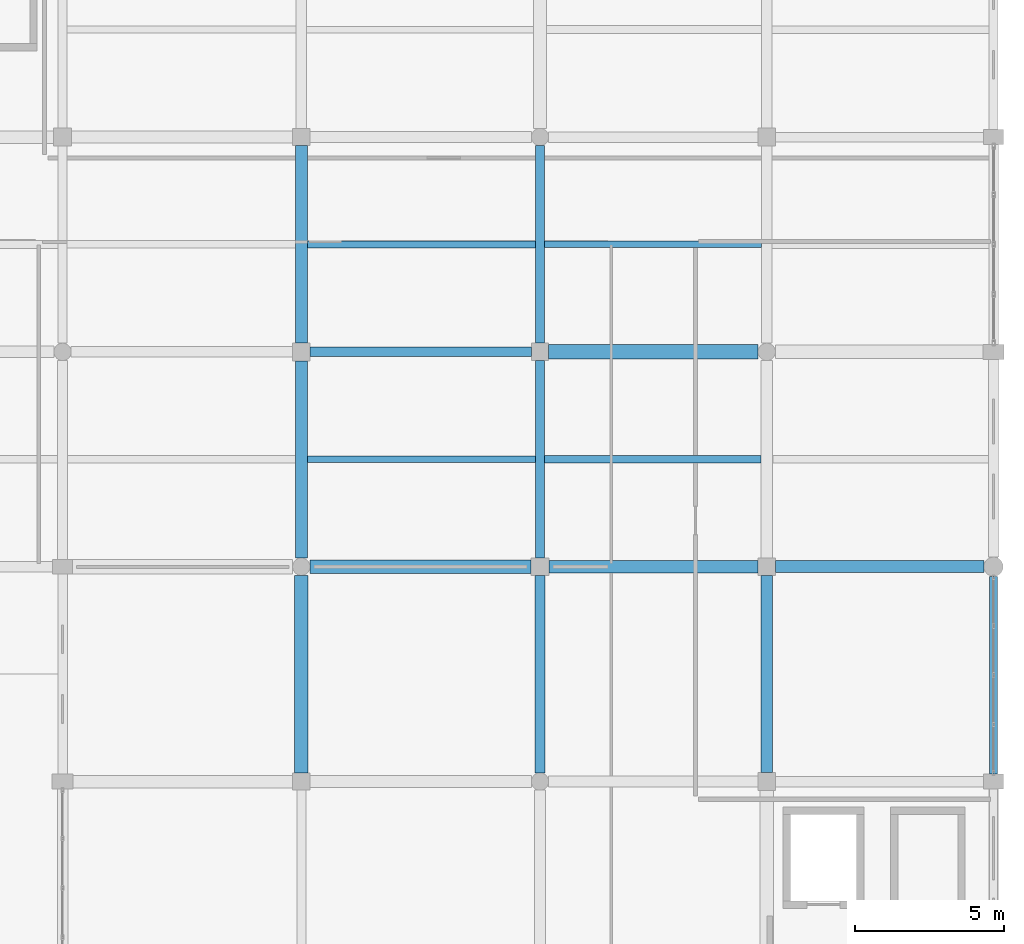
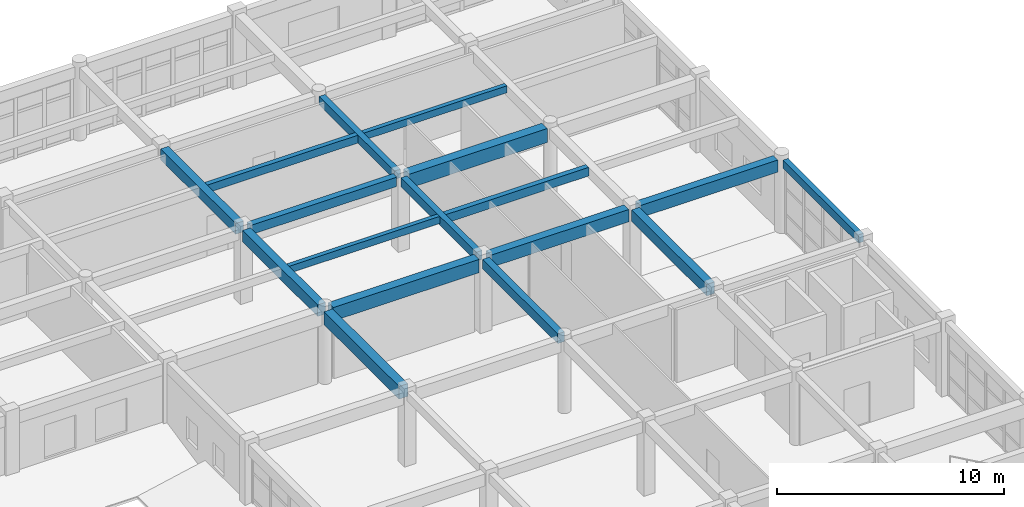
# One storey, part 85 of 121: 17 beams.
"""IFC4 building model written with IfcOpenShell, lengths in metres."""

from ifc_helpers import new_model, si_unit, direction, frame, origin, origin_2d, place, context, subcontext, project, spatial, rectangle, extrude, material, material_profile, profile_set, type_object, element, save


model = new_model("IFC4")

# Units and contexts
model_context = context("Model", 3, precision=1e-05, world=origin(), true_north=direction((0.0, 1.0)))
body_context = subcontext(model_context, "Body", "Model", "MODEL_VIEW")
ifc_project = project(units=[si_unit("LENGTHUNIT", "METRE"), si_unit("AREAUNIT", "SQUARE_METRE"), si_unit("VOLUMEUNIT", "CUBIC_METRE"), si_unit("PLANEANGLEUNIT", "RADIAN"), si_unit("MASSUNIT", "GRAM", prefix="KILO")], contexts=[model_context])

# Site, building, storey
site_placement = place(None, origin())
site = spatial("IfcSite", under=ifc_project, at=site_placement, CompositionType="ELEMENT")
building_placement = place(site_placement, origin())
building = spatial("IfcBuilding", under=site, at=building_placement, Name="Kharva Crest Polytechnic", CompositionType="ELEMENT")
storey_placement = place(building_placement, frame((0.0, 0.0, 13.199951171875)))
storey = spatial("IfcBuildingStorey", under=building, at=storey_placement, Name="L03", CompositionType="ELEMENT", Elevation=13.199951171875)

# Beams
ifc_material = material(Name="Concrete C35/45", Category="concrete")
ifc_material_profile_1 = material_profile(ifc_material, rectangle(XDim=0.300048828125, YDim=0.449951171875, at=origin_2d()), Name="RECT 300 X 450")
ifc_profile_set_1 = profile_set([ifc_material_profile_1], Name="Concrete C35/45")
beam_type_1 = type_object("IfcBeamType", Name="BM-RC-300X450", PredefinedType="BEAM", material=ifc_profile_set_1)
beam_1_placement = place(storey_placement, frame((168.800048828125, 107.889892578125, 3.735107421875), z_axis=(0.0, 1.0, 0.0), x_axis=(-1.0, 0.0, 0.0)))
element("IfcBeam", 1, at=beam_1_placement, inside=storey, type_object=beam_type_1, Name="L03 Girder 22/Q-R", PredefinedType="BEAM", context=body_context, shape_type="SweptSolid", body=[
    extrude(rectangle(XDim=0.300048828125, YDim=0.449951171875, at=origin_2d()), origin(), (0.0, 0.0, 1.0), 6.6201171875),
])
ifc_material_profile_2 = material_profile(ifc_material, rectangle(XDim=0.300048828125, YDim=0.47998046875, at=origin_2d()), Name="RECT 300 X 480")
ifc_profile_set_2 = profile_set([ifc_material_profile_2], Name="Concrete C35/45")
beam_type_2 = type_object("IfcBeamType", Name="BM-RC-300X480", PredefinedType="BEAM", material=ifc_profile_set_2)
beam_2_placement = place(storey_placement, frame((168.800048828125, 100.699951171875, 3.719970703125), z_axis=(0.0, 1.0, 0.0), x_axis=(-1.0, 0.0, 0.0)))
element("IfcBeam", 2, at=beam_2_placement, inside=storey, type_object=beam_type_2, Name="L03 Girder 22/P-Q", PredefinedType="BEAM", context=body_context, shape_type="SweptSolid", body=[
    extrude(rectangle(XDim=0.300048828125, YDim=0.47998046875, at=origin_2d()), origin(), (0.0, 0.0, 1.0), 6.610107421875),
])
ifc_material_profile_3 = material_profile(ifc_material, rectangle(XDim=0.320068359375, YDim=0.5, at=origin_2d()), Name="RECT 320 X 500")
ifc_profile_set_3 = profile_set([ifc_material_profile_3], Name="Concrete C35/45")
beam_type_3 = type_object("IfcBeamType", Name="BM-RC-320X500", PredefinedType="BEAM", material=ifc_profile_set_3)
beam_3_placement = place(storey_placement, frame((161.10009765625, 107.60009765625, 3.7099609375), z_axis=(1.0, 0.0, 0.0), x_axis=(0.0, 1.0, 0.0)))
element("IfcBeam", 3, at=beam_3_placement, inside=storey, type_object=beam_type_3, Name="L03 Beam Q/21-22", PredefinedType="BEAM", context=body_context, shape_type="SweptSolid", body=[
    extrude(rectangle(XDim=0.320068359375, YDim=0.5, at=origin_2d()), origin(), (0.0, 0.0, 1.0), 7.409912109375),
])
ifc_material_profile_4 = material_profile(ifc_material, rectangle(XDim=0.340087890625, YDim=0.52001953125, at=origin_2d()), Name="RECT 340 X 520")
ifc_profile_set_4 = profile_set([ifc_material_profile_4], Name="Concrete C35/45")
beam_type_4 = type_object("IfcBeamType", Name="BM-RC-340X520", PredefinedType="BEAM", material=ifc_profile_set_4)
beam_4_placement = place(storey_placement, frame((168.800048828125, 93.489990234375, 3.699951171875), z_axis=(0.0, 1.0, 0.0), x_axis=(-1.0, 0.0, 0.0)))
element("IfcBeam", 4, at=beam_4_placement, inside=storey, type_object=beam_type_4, Name="L03 Girder 22/N-P", PredefinedType="BEAM", context=body_context, shape_type="SweptSolid", body=[
    extrude(rectangle(XDim=0.340087890625, YDim=0.52001953125, at=origin_2d()), origin(), (0.0, 0.0, 1.0), 6.610107421875),
])
ifc_material_profile_5 = material_profile(ifc_material, rectangle(XDim=0.39990234375, YDim=0.580078125, at=origin_2d()), Name="RECT 400 X 580")
ifc_profile_set_5 = profile_set([ifc_material_profile_5], Name="Concrete C35/45")
beam_type_5 = type_object("IfcBeamType", Name="BM-RC-400X580", PredefinedType="BEAM", material=ifc_profile_set_5)
beam_5_placement = place(storey_placement, frame((160.800048828125, 107.89990234375, 3.670166015625), z_axis=(0.0, 1.0, 0.0), x_axis=(-1.0, 0.0, 0.0)))
element("IfcBeam", 5, at=beam_5_placement, inside=storey, type_object=beam_type_5, Name="L03 Girder 21/Q-R", PredefinedType="BEAM", context=body_context, shape_type="SweptSolid", body=[
    extrude(rectangle(XDim=0.39990234375, YDim=0.580078125, at=origin_2d()), origin(), (0.0, 0.0, 1.0), 6.610107421875),
])
ifc_material_profile_6 = material_profile(ifc_material, rectangle(XDim=0.39990234375, YDim=0.6201171875, at=origin_2d()), Name="RECT 400 X 620")
ifc_profile_set_6 = profile_set([ifc_material_profile_6], Name="Concrete C35/45")
beam_type_6 = type_object("IfcBeamType", Name="BM-RC-400X620", PredefinedType="BEAM", material=ifc_profile_set_6)
for number, where, z_axis, x_axis, name in (
    (6, (160.800048828125, 100.68994140625, 3.650146484375), (0.0, 1.0, 0.0), (-1.0, 0.0, 0.0), "L03 Girder 21/P-Q"),
    (7, (176.39990234375, 93.5, 3.650146484375), (0.0, 1.0, 0.0), (-1.0, 0.0, 0.0), "L03 Girder 23/N-P"),
):
    element("IfcBeam", number, at=place(storey_placement, frame(where, z_axis=z_axis, x_axis=x_axis)), inside=storey, type_object=beam_type_6, Name=name, PredefinedType="BEAM", context=body_context, shape_type="SweptSolid", body=[
        extrude(rectangle(XDim=0.39990234375, YDim=0.6201171875, at=origin_2d()), origin(), (0.0, 0.0, 1.0), 6.610107421875),
    ])
ifc_material_profile_7 = material_profile(ifc_material, rectangle(XDim=0.39990234375, YDim=0.64990234375, at=origin_2d()), Name="RECT 400 X 650")
ifc_profile_set_7 = profile_set([ifc_material_profile_7], Name="Concrete C35/45")
beam_type_7 = type_object("IfcBeamType", Name="BM-RC-400X650", PredefinedType="BEAM", material=ifc_profile_set_7)
beam_6_placement = place(storey_placement, frame((176.68994140625, 100.39990234375, 3.635009765625), z_axis=(1.0, 0.0, 0.0), x_axis=(0.0, 1.0, 0.0)))
element("IfcBeam", 8, at=beam_6_placement, inside=storey, type_object=beam_type_7, Name="L03 Beam P/23-24", PredefinedType="BEAM", context=body_context, shape_type="SweptSolid", body=[
    extrude(rectangle(XDim=0.39990234375, YDim=0.64990234375, at=origin_2d()), origin(), (0.0, 0.0, 1.0), 6.989990234375),
])
ifc_material_profile_8 = material_profile(ifc_material, rectangle(XDim=0.419921875, YDim=0.659912109375, at=origin_2d()), Name="RECT 420 X 660")
ifc_profile_set_8 = profile_set([ifc_material_profile_8], Name="Concrete C35/45")
beam_type_8 = type_object("IfcBeamType", Name="BM-RC-420X660", PredefinedType="BEAM", material=ifc_profile_set_8)
beam_7_placement = place(storey_placement, frame((169.10009765625, 100.39990234375, 3.630126953125), z_axis=(1.0, 0.0, 0.0), x_axis=(0.0, 1.0, 0.0)))
element("IfcBeam", 9, at=beam_7_placement, inside=storey, type_object=beam_type_8, Name="L03 Beam P/22-23", PredefinedType="BEAM", context=body_context, shape_type="SweptSolid", body=[
    extrude(rectangle(XDim=0.419921875, YDim=0.659912109375, at=origin_2d()), origin(), (0.0, 0.0, 1.0), 7.010009765625),
])
ifc_material_profile_9 = material_profile(ifc_material, rectangle(XDim=0.449951171875, YDim=0.679931640625, at=origin_2d()), Name="RECT 450 X 680")
ifc_profile_set_9 = profile_set([ifc_material_profile_9], Name="Concrete C35/45")
beam_type_9 = type_object("IfcBeamType", Name="BM-RC-450X680", PredefinedType="BEAM", material=ifc_profile_set_9)
beam_8_placement = place(storey_placement, frame((160.800048828125, 93.489990234375, 3.6201171875), z_axis=(0.0, 1.0, 0.0), x_axis=(-1.0, 0.0, 0.0)))
element("IfcBeam", 10, at=beam_8_placement, inside=storey, type_object=beam_type_9, Name="L03 Girder 21/N-P", PredefinedType="BEAM", context=body_context, shape_type="SweptSolid", body=[
    extrude(rectangle(XDim=0.449951171875, YDim=0.679931640625, at=origin_2d()), origin(), (0.0, 0.0, 1.0), 6.6201171875),
])
ifc_material_profile_10 = material_profile(ifc_material, rectangle(XDim=0.449951171875, YDim=0.719970703125, at=origin_2d()), Name="RECT 450 X 720")
ifc_profile_set_10 = profile_set([ifc_material_profile_10], Name="Concrete C35/45")
beam_type_10 = type_object("IfcBeamType", Name="BM-RC-450X720", PredefinedType="BEAM", material=ifc_profile_set_10)
beam_9_placement = place(storey_placement, frame((161.090087890625, 100.39990234375, 3.60009765625), z_axis=(1.0, 0.0, 0.0), x_axis=(0.0, 1.0, 0.0)))
element("IfcBeam", 11, at=beam_9_placement, inside=storey, type_object=beam_type_10, Name="L03 Beam P/21-22", PredefinedType="BEAM", context=body_context, shape_type="SweptSolid", body=[
    extrude(rectangle(XDim=0.449951171875, YDim=0.719970703125, at=origin_2d()), origin(), (0.0, 0.0, 1.0), 7.409912109375),
])
ifc_material_profile_11 = material_profile(ifc_material, rectangle(XDim=0.47998046875, YDim=0.75, at=origin_2d()), Name="RECT 480 X 750")
ifc_profile_set_11 = profile_set([ifc_material_profile_11], Name="Concrete C35/45")
beam_type_11 = type_object("IfcBeamType", Name="BM-RC-480X750", PredefinedType="BEAM", material=ifc_profile_set_11)
beam_10_placement = place(storey_placement, frame((169.090087890625, 107.60009765625, 3.5849609375), z_axis=(1.0, 0.0, 0.0), x_axis=(0.0, 1.0, 0.0)))
element("IfcBeam", 12, at=beam_10_placement, inside=storey, type_object=beam_type_11, Name="L03 Beam Q/22-23", PredefinedType="BEAM", context=body_context, shape_type="SweptSolid", body=[
    extrude(rectangle(XDim=0.47998046875, YDim=0.75, at=origin_2d()), origin(), (0.0, 0.0, 1.0), 7.02001953125),
])
ifc_material_profile_12 = material_profile(ifc_material, rectangle(XDim=0.219970703125, YDim=0.3798828125, at=origin_2d()), Name="RECT 220 X 380")
ifc_profile_set_12 = profile_set([ifc_material_profile_12], Name="Concrete C35/45")
beam_type_12 = type_object("IfcBeamType", Name="JS-RC-220X380", PredefinedType="JOIST", material=ifc_profile_set_12)
beam_11_placement = place(storey_placement, frame((161.0, 104.0, 3.77001953125), z_axis=(1.0, 0.0, 0.0), x_axis=(0.0, 1.0, 0.0)))
element("IfcBeam", 13, at=beam_11_placement, inside=storey, type_object=beam_type_12, Name="L03 Floor Joist 31", PredefinedType="JOIST", context=body_context, shape_type="SweptSolid", body=[
    extrude(rectangle(XDim=0.219970703125, YDim=0.3798828125, at=origin_2d()), origin(), (0.0, 0.0, 1.0), 7.64990234375),
])
beam_12_placement = place(storey_placement, frame((168.949951171875, 111.199951171875, 3.77001953125), z_axis=(1.0, 0.0, 0.0), x_axis=(0.0, 1.0, 0.0)))
element("IfcBeam", 14, at=beam_12_placement, inside=storey, type_object=beam_type_12, Name="L03 Floor Joist 51", PredefinedType="JOIST", context=body_context, shape_type="SweptSolid", body=[
    extrude(rectangle(XDim=0.219970703125, YDim=0.3798828125, at=origin_2d()), origin(), (0.0, 0.0, 1.0), 7.27001953125),
])
ifc_material_profile_13 = material_profile(ifc_material, rectangle(XDim=0.239990234375, YDim=0.419921875, at=origin_2d()), Name="RECT 240 X 420")
ifc_profile_set_13 = profile_set([ifc_material_profile_13], Name="Concrete C35/45")
beam_type_13 = type_object("IfcBeamType", Name="JS-RC-240X420", PredefinedType="JOIST", material=ifc_profile_set_13)
beam_13_placement = place(storey_placement, frame((161.0, 111.199951171875, 3.75), z_axis=(1.0, 0.0, 0.0), x_axis=(0.0, 1.0, 0.0)))
element("IfcBeam", 15, at=beam_13_placement, inside=storey, type_object=beam_type_13, Name="L03 Floor Joist 50", PredefinedType="JOIST", context=body_context, shape_type="SweptSolid", body=[
    extrude(rectangle(XDim=0.239990234375, YDim=0.419921875, at=origin_2d()), origin(), (0.0, 0.0, 1.0), 7.64990234375),
])
ifc_material_profile_14 = material_profile(ifc_material, rectangle(XDim=0.260009765625, YDim=0.4599609375, at=origin_2d()), Name="RECT 260 X 460")
ifc_profile_set_14 = profile_set([ifc_material_profile_14], Name="Concrete C35/45")
beam_type_14 = type_object("IfcBeamType", Name="JS-RC-260X460", PredefinedType="JOIST", material=ifc_profile_set_14)
beam_14_placement = place(storey_placement, frame((168.949951171875, 104.0, 3.72998046875), z_axis=(1.0, 0.0, 0.0), x_axis=(0.0, 1.0, 0.0)))
element("IfcBeam", 16, at=beam_14_placement, inside=storey, type_object=beam_type_14, Name="L03 Floor Joist 32", PredefinedType="JOIST", context=body_context, shape_type="SweptSolid", body=[
    extrude(rectangle(XDim=0.260009765625, YDim=0.4599609375, at=origin_2d()), origin(), (0.0, 0.0, 1.0), 7.25),
])
ifc_material_profile_15 = material_profile(ifc_material, rectangle(XDim=0.260009765625, YDim=0.43994140625, at=origin_2d()), Name="RECT 260 X 440")
ifc_profile_set_15 = profile_set([ifc_material_profile_15], Name="Concrete C35/45")
beam_type_15 = type_object("IfcBeamType", Name="SP-RC-260X440", PredefinedType="SPANDREL", material=ifc_profile_set_15)
beam_15_placement = place(storey_placement, frame((184.0, 93.449951171875, 3.739990234375), z_axis=(0.0, 1.0, 0.0), x_axis=(-1.0, 0.0, 0.0)))
element("IfcBeam", 17, at=beam_15_placement, inside=storey, type_object=beam_type_15, Name="L03 Girder 24/N-P", PredefinedType="SPANDREL", context=body_context, shape_type="SweptSolid", body=[
    extrude(rectangle(XDim=0.260009765625, YDim=0.43994140625, at=origin_2d()), origin(), (0.0, 0.0, 1.0), 6.630126953125),
])

save(model, "model.ifc")
